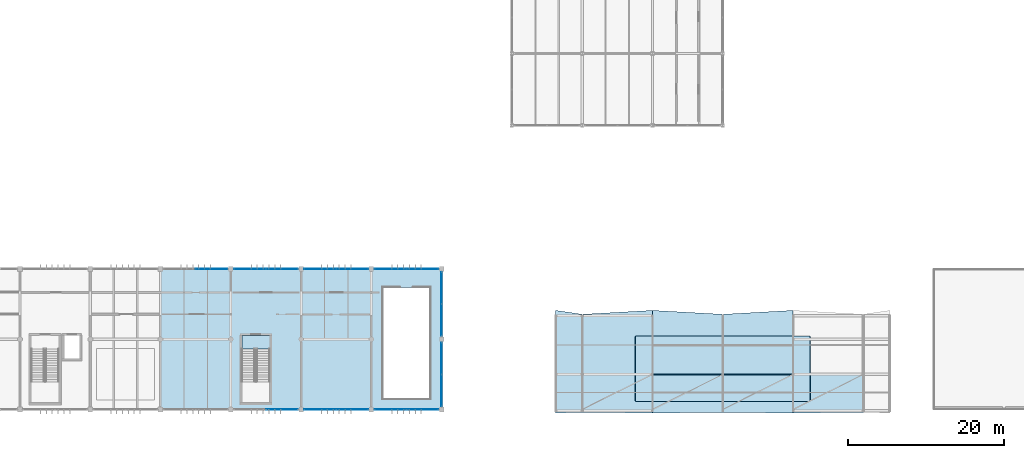
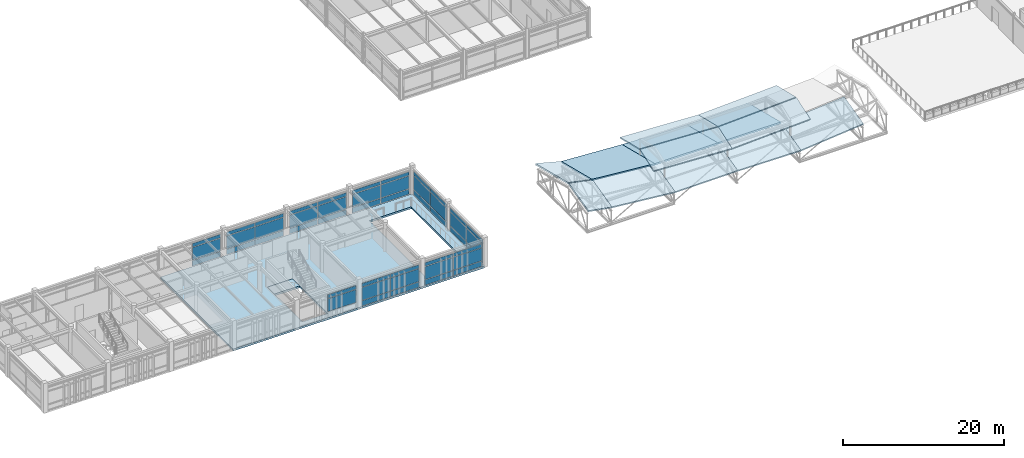
# One storey, part 31 of 55: 47 plates, 15 slabs, 9 elements without a shape of their own.
"""IFC4 building model written with IfcOpenShell, lengths in metres."""

from ifc_helpers import new_model, si_unit, direction, frame, origin, origin_2d, place, context, subcontext, project, spatial, polyline, rectangle, outline, extrude, material, layer, layer_set, type_object, element, aggregate, save


model = new_model("IFC4")

# Units and contexts
model_context = context("Model", 3, precision=1e-05, world=origin(), true_north=direction((0.0, 1.0)))
body_context = subcontext(model_context, "Body", "Model", "MODEL_VIEW")
ifc_project = project(units=[si_unit("LENGTHUNIT", "METRE"), si_unit("AREAUNIT", "SQUARE_METRE"), si_unit("VOLUMEUNIT", "CUBIC_METRE"), si_unit("PLANEANGLEUNIT", "RADIAN"), si_unit("MASSUNIT", "GRAM", prefix="KILO")], contexts=[model_context])

# Site, building, storey
site_placement = place(None, origin())
site = spatial("IfcSite", under=ifc_project, at=site_placement, CompositionType="ELEMENT")
building_placement = place(site_placement, origin())
building = spatial("IfcBuilding", under=site, at=building_placement, Name="Bozkorgan Art Gallery", CompositionType="ELEMENT")
storey_placement = place(building_placement, frame((0.0, 0.0, 15.0)))
storey = spatial("IfcBuildingStorey", under=building, at=storey_placement, Name="L03", CompositionType="ELEMENT", Elevation=15.0)

# Curtain wall, plates
ifc_material_1 = material(Name="Anodised Bronze Aluminium", Category="aluminium")
curtain_wall_type_1 = type_object("IfcCurtainWallType", Name="CW-CW-42", PredefinedType="NOTDEFINED", material=ifc_material_1)
curtain_wall_1_placement = place(storey_placement, origin())
curtain_wall_1 = element("IfcCurtainWall", 1, at=curtain_wall_1_placement, inside=storey, type_object=curtain_wall_type_1, Name="L03 unitised curtain wall CW-V1-L03-1N-08", PredefinedType="NOTDEFINED")
ifc_material_2 = material(Name="Triple Low-E Laminated Glass", Category="glass")
ifc_layer_1 = layer(ifc_material_2, 0.0439453125, Name="Triple Low-E Laminated Glass")
ifc_layer_set_1 = layer_set([ifc_layer_1], Name="Triple Low-E Laminated Glass")
plate_type = type_object("IfcPlateType", Name="CWP-GLZ", PredefinedType="CURTAIN_PANEL", material=ifc_layer_set_1)
plate_1_placement = place(storey_placement, frame((35.55126953125, 20.0, 0.094970703125), z_axis=(0.0, 0.0, 1.0), x_axis=(1.0, 0.0, 0.0)))
plate_1 = element("IfcPlate", 2, at=plate_1_placement, type_object=plate_type, Name="CW-42 panel 2.1", PredefinedType="CURTAIN_PANEL", context=body_context, shape_type="SweptSolid", body=[
    extrude(rectangle(XDim=4.03759765625, YDim=0.0439453125, at=origin_2d()), origin(), (0.0, 0.0, 1.0), 0.78759765625),
])
plate_2_placement = place(storey_placement, frame((35.55126953125, 20.0, 0.95751953125), z_axis=(0.0, 0.0, 1.0), x_axis=(1.0, 0.0, 0.0)))
plate_2 = element("IfcPlate", 3, at=plate_2_placement, type_object=plate_type, Name="CW-42 panel 2.2", PredefinedType="CURTAIN_PANEL", context=body_context, shape_type="SweptSolid", body=[
    extrude(rectangle(XDim=4.03759765625, YDim=0.0439453125, at=origin_2d()), origin(), (0.0, 0.0, 1.0), 1.929931640625),
])
plate_3_placement = place(storey_placement, frame((35.55126953125, 20.0, 2.96240234375), z_axis=(0.0, 0.0, 1.0), x_axis=(1.0, 0.0, 0.0)))
plate_3 = element("IfcPlate", 4, at=plate_3_placement, type_object=plate_type, Name="CW-42 panel 2.3", PredefinedType="CURTAIN_PANEL", context=body_context, shape_type="SweptSolid", body=[
    extrude(rectangle(XDim=4.03759765625, YDim=0.0439453125, at=origin_2d()), origin(), (0.0, 0.0, 1.0), 0.53759765625),
])
aggregate(curtain_wall_1, [plate_1, plate_2, plate_3])

curtain_wall_2_placement = place(storey_placement, origin())
curtain_wall_2 = element("IfcCurtainWall", 5, at=curtain_wall_2_placement, inside=storey, type_object=curtain_wall_type_1, Name="L03 unitised curtain wall CW-V1-L03-1S-09", PredefinedType="NOTDEFINED")
plate_4_placement = place(storey_placement, frame((44.55126953125, 2.0, 0.95751953125), z_axis=(0.0, 0.0, 1.0), x_axis=(1.0, 0.0, 0.0)))
plate_4 = element("IfcPlate", 6, at=plate_4_placement, type_object=plate_type, Name="CW-42 panel 2.2", PredefinedType="CURTAIN_PANEL", context=body_context, shape_type="SweptSolid", body=[
    extrude(rectangle(XDim=4.03759765625, YDim=0.0439453125, at=origin_2d()), origin(), (0.0, 0.0, 1.0), 1.929931640625),
])
plate_5_placement = place(storey_placement, frame((44.55126953125, 2.0, 2.96240234375), z_axis=(0.0, 0.0, 1.0), x_axis=(1.0, 0.0, 0.0)))
plate_5 = element("IfcPlate", 7, at=plate_5_placement, type_object=plate_type, Name="CW-42 panel 2.3", PredefinedType="CURTAIN_PANEL", context=body_context, shape_type="SweptSolid", body=[
    extrude(rectangle(XDim=4.03759765625, YDim=0.0439453125, at=origin_2d()), origin(), (0.0, 0.0, 1.0), 0.53759765625),
])
aggregate(curtain_wall_2, [plate_4, plate_5])

curtain_wall_3_placement = place(storey_placement, origin())
curtain_wall_3 = element("IfcCurtainWall", 8, at=curtain_wall_3_placement, inside=storey, type_object=curtain_wall_type_1, Name="L03 unitised curtain wall CW-V1-L03-1N-10", PredefinedType="NOTDEFINED")
plate_6_placement = place(storey_placement, frame((40.44873046875, 20.0, 0.094970703125), z_axis=(0.0, 0.0, 1.0), x_axis=(1.0, 0.0, 0.0)))
plate_6 = element("IfcPlate", 9, at=plate_6_placement, type_object=plate_type, Name="CW-42 panel 1.1", PredefinedType="CURTAIN_PANEL", context=body_context, shape_type="SweptSolid", body=[
    extrude(rectangle(XDim=4.03759765625, YDim=0.0439453125, at=origin_2d()), origin(), (0.0, 0.0, 1.0), 0.78759765625),
])
plate_7_placement = place(storey_placement, frame((40.44873046875, 20.0, 0.95751953125), z_axis=(0.0, 0.0, 1.0), x_axis=(1.0, 0.0, 0.0)))
plate_7 = element("IfcPlate", 10, at=plate_7_placement, type_object=plate_type, Name="CW-42 panel 1.2", PredefinedType="CURTAIN_PANEL", context=body_context, shape_type="SweptSolid", body=[
    extrude(rectangle(XDim=4.03759765625, YDim=0.0439453125, at=origin_2d()), origin(), (0.0, 0.0, 1.0), 1.929931640625),
])
plate_8_placement = place(storey_placement, frame((40.44873046875, 20.0, 2.96240234375), z_axis=(0.0, 0.0, 1.0), x_axis=(1.0, 0.0, 0.0)))
plate_8 = element("IfcPlate", 11, at=plate_8_placement, type_object=plate_type, Name="CW-42 panel 1.3", PredefinedType="CURTAIN_PANEL", context=body_context, shape_type="SweptSolid", body=[
    extrude(rectangle(XDim=4.03759765625, YDim=0.0439453125, at=origin_2d()), origin(), (0.0, 0.0, 1.0), 0.53759765625),
])
plate_9_placement = place(storey_placement, frame((44.55126953125, 20.0, 0.094970703125), z_axis=(0.0, 0.0, 1.0), x_axis=(1.0, 0.0, 0.0)))
plate_9 = element("IfcPlate", 12, at=plate_9_placement, type_object=plate_type, Name="CW-42 panel 2.1", PredefinedType="CURTAIN_PANEL", context=body_context, shape_type="SweptSolid", body=[
    extrude(rectangle(XDim=4.03759765625, YDim=0.0439453125, at=origin_2d()), origin(), (0.0, 0.0, 1.0), 0.78759765625),
])
plate_10_placement = place(storey_placement, frame((44.55126953125, 20.0, 0.95751953125), z_axis=(0.0, 0.0, 1.0), x_axis=(1.0, 0.0, 0.0)))
plate_10 = element("IfcPlate", 13, at=plate_10_placement, type_object=plate_type, Name="CW-42 panel 2.2", PredefinedType="CURTAIN_PANEL", context=body_context, shape_type="SweptSolid", body=[
    extrude(rectangle(XDim=4.03759765625, YDim=0.0439453125, at=origin_2d()), origin(), (0.0, 0.0, 1.0), 1.929931640625),
])
plate_11_placement = place(storey_placement, frame((44.55126953125, 20.0, 2.96240234375), z_axis=(0.0, 0.0, 1.0), x_axis=(1.0, 0.0, 0.0)))
plate_11 = element("IfcPlate", 14, at=plate_11_placement, type_object=plate_type, Name="CW-42 panel 2.3", PredefinedType="CURTAIN_PANEL", context=body_context, shape_type="SweptSolid", body=[
    extrude(rectangle(XDim=4.03759765625, YDim=0.0439453125, at=origin_2d()), origin(), (0.0, 0.0, 1.0), 0.53759765625),
])
aggregate(curtain_wall_3, [plate_6, plate_7, plate_8, plate_9, plate_10, plate_11])

curtain_wall_4_placement = place(storey_placement, origin())
curtain_wall_4 = element("IfcCurtainWall", 15, at=curtain_wall_4_placement, inside=storey, type_object=curtain_wall_type_1, Name="L03 unitised curtain wall CW-V1-L03-1S-11", PredefinedType="NOTDEFINED")
plate_12_placement = place(storey_placement, frame((49.44873046875, 2.0, 0.094970703125), z_axis=(0.0, 0.0, 1.0), x_axis=(1.0, 0.0, 0.0)))
plate_12 = element("IfcPlate", 16, at=plate_12_placement, type_object=plate_type, Name="CW-42 panel 1.1", PredefinedType="CURTAIN_PANEL", context=body_context, shape_type="SweptSolid", body=[
    extrude(rectangle(XDim=4.03759765625, YDim=0.0439453125, at=origin_2d()), origin(), (0.0, 0.0, 1.0), 0.78759765625),
])
plate_13_placement = place(storey_placement, frame((49.44873046875, 2.0, 0.95751953125), z_axis=(0.0, 0.0, 1.0), x_axis=(1.0, 0.0, 0.0)))
plate_13 = element("IfcPlate", 17, at=plate_13_placement, type_object=plate_type, Name="CW-42 panel 1.2", PredefinedType="CURTAIN_PANEL", context=body_context, shape_type="SweptSolid", body=[
    extrude(rectangle(XDim=4.03759765625, YDim=0.0439453125, at=origin_2d()), origin(), (0.0, 0.0, 1.0), 1.929931640625),
])
plate_14_placement = place(storey_placement, frame((49.44873046875, 2.0, 2.96240234375), z_axis=(0.0, 0.0, 1.0), x_axis=(1.0, 0.0, 0.0)))
plate_14 = element("IfcPlate", 18, at=plate_14_placement, type_object=plate_type, Name="CW-42 panel 1.3", PredefinedType="CURTAIN_PANEL", context=body_context, shape_type="SweptSolid", body=[
    extrude(rectangle(XDim=4.03759765625, YDim=0.0439453125, at=origin_2d()), origin(), (0.0, 0.0, 1.0), 0.53759765625),
])
plate_15_placement = place(storey_placement, frame((53.55126953125, 2.0, 0.094970703125), z_axis=(0.0, 0.0, 1.0), x_axis=(1.0, 0.0, 0.0)))
plate_15 = element("IfcPlate", 19, at=plate_15_placement, type_object=plate_type, Name="CW-42 panel 2.1", PredefinedType="CURTAIN_PANEL", context=body_context, shape_type="SweptSolid", body=[
    extrude(rectangle(XDim=4.03759765625, YDim=0.0439453125, at=origin_2d()), origin(), (0.0, 0.0, 1.0), 0.78759765625),
])
plate_16_placement = place(storey_placement, frame((53.55126953125, 2.0, 0.95751953125), z_axis=(0.0, 0.0, 1.0), x_axis=(1.0, 0.0, 0.0)))
plate_16 = element("IfcPlate", 20, at=plate_16_placement, type_object=plate_type, Name="CW-42 panel 2.2", PredefinedType="CURTAIN_PANEL", context=body_context, shape_type="SweptSolid", body=[
    extrude(rectangle(XDim=4.03759765625, YDim=0.0439453125, at=origin_2d()), origin(), (0.0, 0.0, 1.0), 1.929931640625),
])
plate_17_placement = place(storey_placement, frame((53.55126953125, 2.0, 2.96240234375), z_axis=(0.0, 0.0, 1.0), x_axis=(1.0, 0.0, 0.0)))
plate_17 = element("IfcPlate", 21, at=plate_17_placement, type_object=plate_type, Name="CW-42 panel 2.3", PredefinedType="CURTAIN_PANEL", context=body_context, shape_type="SweptSolid", body=[
    extrude(rectangle(XDim=4.03759765625, YDim=0.0439453125, at=origin_2d()), origin(), (0.0, 0.0, 1.0), 0.53759765625),
])
aggregate(curtain_wall_4, [plate_12, plate_13, plate_14, plate_15, plate_16, plate_17])

curtain_wall_5_placement = place(storey_placement, origin())
curtain_wall_5 = element("IfcCurtainWall", 22, at=curtain_wall_5_placement, inside=storey, type_object=curtain_wall_type_1, Name="L03 unitised curtain wall CW-V1-L03-1N-12", PredefinedType="NOTDEFINED")
plate_18_placement = place(storey_placement, frame((49.44873046875, 20.0, 0.094970703125), z_axis=(0.0, 0.0, 1.0), x_axis=(1.0, 0.0, 0.0)))
plate_18 = element("IfcPlate", 23, at=plate_18_placement, type_object=plate_type, Name="CW-42 panel 1.1", PredefinedType="CURTAIN_PANEL", context=body_context, shape_type="SweptSolid", body=[
    extrude(rectangle(XDim=4.03759765625, YDim=0.0439453125, at=origin_2d()), origin(), (0.0, 0.0, 1.0), 0.78759765625),
])
plate_19_placement = place(storey_placement, frame((49.44873046875, 20.0, 0.95751953125), z_axis=(0.0, 0.0, 1.0), x_axis=(1.0, 0.0, 0.0)))
plate_19 = element("IfcPlate", 24, at=plate_19_placement, type_object=plate_type, Name="CW-42 panel 1.2", PredefinedType="CURTAIN_PANEL", context=body_context, shape_type="SweptSolid", body=[
    extrude(rectangle(XDim=4.03759765625, YDim=0.0439453125, at=origin_2d()), origin(), (0.0, 0.0, 1.0), 1.929931640625),
])
plate_20_placement = place(storey_placement, frame((49.44873046875, 20.0, 2.96240234375), z_axis=(0.0, 0.0, 1.0), x_axis=(1.0, 0.0, 0.0)))
plate_20 = element("IfcPlate", 25, at=plate_20_placement, type_object=plate_type, Name="CW-42 panel 1.3", PredefinedType="CURTAIN_PANEL", context=body_context, shape_type="SweptSolid", body=[
    extrude(rectangle(XDim=4.03759765625, YDim=0.0439453125, at=origin_2d()), origin(), (0.0, 0.0, 1.0), 0.53759765625),
])
plate_21_placement = place(storey_placement, frame((53.55126953125, 20.0, 0.094970703125), z_axis=(0.0, 0.0, 1.0), x_axis=(1.0, 0.0, 0.0)))
plate_21 = element("IfcPlate", 26, at=plate_21_placement, type_object=plate_type, Name="CW-42 panel 2.1", PredefinedType="CURTAIN_PANEL", context=body_context, shape_type="SweptSolid", body=[
    extrude(rectangle(XDim=4.03759765625, YDim=0.0439453125, at=origin_2d()), origin(), (0.0, 0.0, 1.0), 0.78759765625),
])
plate_22_placement = place(storey_placement, frame((53.55126953125, 20.0, 0.95751953125), z_axis=(0.0, 0.0, 1.0), x_axis=(1.0, 0.0, 0.0)))
plate_22 = element("IfcPlate", 27, at=plate_22_placement, type_object=plate_type, Name="CW-42 panel 2.2", PredefinedType="CURTAIN_PANEL", context=body_context, shape_type="SweptSolid", body=[
    extrude(rectangle(XDim=4.03759765625, YDim=0.0439453125, at=origin_2d()), origin(), (0.0, 0.0, 1.0), 1.929931640625),
])
plate_23_placement = place(storey_placement, frame((53.55126953125, 20.0, 2.96240234375), z_axis=(0.0, 0.0, 1.0), x_axis=(1.0, 0.0, 0.0)))
plate_23 = element("IfcPlate", 28, at=plate_23_placement, type_object=plate_type, Name="CW-42 panel 2.3", PredefinedType="CURTAIN_PANEL", context=body_context, shape_type="SweptSolid", body=[
    extrude(rectangle(XDim=4.03759765625, YDim=0.0439453125, at=origin_2d()), origin(), (0.0, 0.0, 1.0), 0.53759765625),
])
aggregate(curtain_wall_5, [plate_18, plate_19, plate_20, plate_21, plate_22, plate_23])

curtain_wall_6_placement = place(storey_placement, origin())
curtain_wall_6 = element("IfcCurtainWall", 29, at=curtain_wall_6_placement, inside=storey, type_object=curtain_wall_type_1, Name="L03 unitised curtain wall CW-V1-L03-1S-13", PredefinedType="NOTDEFINED")
plate_24_placement = place(storey_placement, frame((58.44873046875, 2.0, 0.094970703125), z_axis=(0.0, 0.0, 1.0), x_axis=(1.0, 0.0, 0.0)))
plate_24 = element("IfcPlate", 30, at=plate_24_placement, type_object=plate_type, Name="CW-42 panel 1.1", PredefinedType="CURTAIN_PANEL", context=body_context, shape_type="SweptSolid", body=[
    extrude(rectangle(XDim=4.03759765625, YDim=0.0439453125, at=origin_2d()), origin(), (0.0, 0.0, 1.0), 0.78759765625),
])
plate_25_placement = place(storey_placement, frame((58.44873046875, 2.0, 0.95751953125), z_axis=(0.0, 0.0, 1.0), x_axis=(1.0, 0.0, 0.0)))
plate_25 = element("IfcPlate", 31, at=plate_25_placement, type_object=plate_type, Name="CW-42 panel 1.2", PredefinedType="CURTAIN_PANEL", context=body_context, shape_type="SweptSolid", body=[
    extrude(rectangle(XDim=4.03759765625, YDim=0.0439453125, at=origin_2d()), origin(), (0.0, 0.0, 1.0), 1.929931640625),
])
plate_26_placement = place(storey_placement, frame((58.44873046875, 2.0, 2.96240234375), z_axis=(0.0, 0.0, 1.0), x_axis=(1.0, 0.0, 0.0)))
plate_26 = element("IfcPlate", 32, at=plate_26_placement, type_object=plate_type, Name="CW-42 panel 1.3", PredefinedType="CURTAIN_PANEL", context=body_context, shape_type="SweptSolid", body=[
    extrude(rectangle(XDim=4.03759765625, YDim=0.0439453125, at=origin_2d()), origin(), (0.0, 0.0, 1.0), 0.53759765625),
])
plate_27_placement = place(storey_placement, frame((62.55126953125, 2.0, 0.094970703125), z_axis=(0.0, 0.0, 1.0), x_axis=(1.0, 0.0, 0.0)))
plate_27 = element("IfcPlate", 33, at=plate_27_placement, type_object=plate_type, Name="CW-42 panel 2.1", PredefinedType="CURTAIN_PANEL", context=body_context, shape_type="SweptSolid", body=[
    extrude(rectangle(XDim=4.03759765625, YDim=0.0439453125, at=origin_2d()), origin(), (0.0, 0.0, 1.0), 0.78759765625),
])
plate_28_placement = place(storey_placement, frame((62.55126953125, 2.0, 0.95751953125), z_axis=(0.0, 0.0, 1.0), x_axis=(1.0, 0.0, 0.0)))
plate_28 = element("IfcPlate", 34, at=plate_28_placement, type_object=plate_type, Name="CW-42 panel 2.2", PredefinedType="CURTAIN_PANEL", context=body_context, shape_type="SweptSolid", body=[
    extrude(rectangle(XDim=4.03759765625, YDim=0.0439453125, at=origin_2d()), origin(), (0.0, 0.0, 1.0), 1.929931640625),
])
plate_29_placement = place(storey_placement, frame((62.55126953125, 2.0, 2.96240234375), z_axis=(0.0, 0.0, 1.0), x_axis=(1.0, 0.0, 0.0)))
plate_29 = element("IfcPlate", 35, at=plate_29_placement, type_object=plate_type, Name="CW-42 panel 2.3", PredefinedType="CURTAIN_PANEL", context=body_context, shape_type="SweptSolid", body=[
    extrude(rectangle(XDim=4.03759765625, YDim=0.0439453125, at=origin_2d()), origin(), (0.0, 0.0, 1.0), 0.53759765625),
])
aggregate(curtain_wall_6, [plate_24, plate_25, plate_26, plate_27, plate_28, plate_29])

curtain_wall_7_placement = place(storey_placement, origin())
curtain_wall_7 = element("IfcCurtainWall", 36, at=curtain_wall_7_placement, inside=storey, type_object=curtain_wall_type_1, Name="L03 unitised curtain wall CW-V1-L03-1N-14", PredefinedType="NOTDEFINED")
plate_30_placement = place(storey_placement, frame((58.44873046875, 20.0, 0.094970703125), z_axis=(0.0, 0.0, 1.0), x_axis=(1.0, 0.0, 0.0)))
plate_30 = element("IfcPlate", 37, at=plate_30_placement, type_object=plate_type, Name="CW-42 panel 1.1", PredefinedType="CURTAIN_PANEL", context=body_context, shape_type="SweptSolid", body=[
    extrude(rectangle(XDim=4.03759765625, YDim=0.0439453125, at=origin_2d()), origin(), (0.0, 0.0, 1.0), 0.78759765625),
])
plate_31_placement = place(storey_placement, frame((58.44873046875, 20.0, 0.95751953125), z_axis=(0.0, 0.0, 1.0), x_axis=(1.0, 0.0, 0.0)))
plate_31 = element("IfcPlate", 38, at=plate_31_placement, type_object=plate_type, Name="CW-42 panel 1.2", PredefinedType="CURTAIN_PANEL", context=body_context, shape_type="SweptSolid", body=[
    extrude(rectangle(XDim=4.03759765625, YDim=0.0439453125, at=origin_2d()), origin(), (0.0, 0.0, 1.0), 1.929931640625),
])
plate_32_placement = place(storey_placement, frame((58.44873046875, 20.0, 2.96240234375), z_axis=(0.0, 0.0, 1.0), x_axis=(1.0, 0.0, 0.0)))
plate_32 = element("IfcPlate", 39, at=plate_32_placement, type_object=plate_type, Name="CW-42 panel 1.3", PredefinedType="CURTAIN_PANEL", context=body_context, shape_type="SweptSolid", body=[
    extrude(rectangle(XDim=4.03759765625, YDim=0.0439453125, at=origin_2d()), origin(), (0.0, 0.0, 1.0), 0.53759765625),
])
plate_33_placement = place(storey_placement, frame((62.55126953125, 20.0, 0.094970703125), z_axis=(0.0, 0.0, 1.0), x_axis=(1.0, 0.0, 0.0)))
plate_33 = element("IfcPlate", 40, at=plate_33_placement, type_object=plate_type, Name="CW-42 panel 2.1", PredefinedType="CURTAIN_PANEL", context=body_context, shape_type="SweptSolid", body=[
    extrude(rectangle(XDim=4.03759765625, YDim=0.0439453125, at=origin_2d()), origin(), (0.0, 0.0, 1.0), 0.78759765625),
])
plate_34_placement = place(storey_placement, frame((62.55126953125, 20.0, 0.95751953125), z_axis=(0.0, 0.0, 1.0), x_axis=(1.0, 0.0, 0.0)))
plate_34 = element("IfcPlate", 41, at=plate_34_placement, type_object=plate_type, Name="CW-42 panel 2.2", PredefinedType="CURTAIN_PANEL", context=body_context, shape_type="SweptSolid", body=[
    extrude(rectangle(XDim=4.03759765625, YDim=0.0439453125, at=origin_2d()), origin(), (0.0, 0.0, 1.0), 1.929931640625),
])
plate_35_placement = place(storey_placement, frame((62.55126953125, 20.0, 2.96240234375), z_axis=(0.0, 0.0, 1.0), x_axis=(1.0, 0.0, 0.0)))
plate_35 = element("IfcPlate", 42, at=plate_35_placement, type_object=plate_type, Name="CW-42 panel 2.3", PredefinedType="CURTAIN_PANEL", context=body_context, shape_type="SweptSolid", body=[
    extrude(rectangle(XDim=4.03759765625, YDim=0.0439453125, at=origin_2d()), origin(), (0.0, 0.0, 1.0), 0.53759765625),
])
aggregate(curtain_wall_7, [plate_30, plate_31, plate_32, plate_33, plate_34, plate_35])

curtain_wall_type_2 = type_object("IfcCurtainWallType", Name="CW-CW-02", PredefinedType="NOTDEFINED", material=ifc_material_1)
curtain_wall_8_placement = place(storey_placement, origin())
curtain_wall_8 = element("IfcCurtainWall", 43, at=curtain_wall_8_placement, inside=storey, type_object=curtain_wall_type_2, Name="L03 unitised curtain wall CW-V1-L03-1E-16", PredefinedType="NOTDEFINED")
plate_36_placement = place(storey_placement, frame((65.0, 4.451171875, 0.094970703125), z_axis=(0.0, 0.0, 1.0), x_axis=(0.0, 1.0, 0.0)))
plate_36 = element("IfcPlate", 44, at=plate_36_placement, type_object=plate_type, Name="CW-02 panel 1.1", PredefinedType="CURTAIN_PANEL", context=body_context, shape_type="SweptSolid", body=[
    extrude(rectangle(XDim=4.0224609375, YDim=0.0439453125, at=origin_2d()), origin(), (0.0, 0.0, 1.0), 0.78759765625),
])
plate_37_placement = place(storey_placement, frame((65.0, 4.451171875, 0.95751953125), z_axis=(0.0, 0.0, 1.0), x_axis=(0.0, 1.0, 0.0)))
plate_37 = element("IfcPlate", 45, at=plate_37_placement, type_object=plate_type, Name="CW-02 panel 1.2", PredefinedType="CURTAIN_PANEL", context=body_context, shape_type="SweptSolid", body=[
    extrude(rectangle(XDim=4.0224609375, YDim=0.0439453125, at=origin_2d()), origin(), (0.0, 0.0, 1.0), 2.080078125),
])
plate_38_placement = place(storey_placement, frame((65.0, 4.451171875, 3.112548828125), z_axis=(0.0, 0.0, 1.0), x_axis=(0.0, 1.0, 0.0)))
plate_38 = element("IfcPlate", 46, at=plate_38_placement, type_object=plate_type, Name="CW-02 panel 1.3", PredefinedType="CURTAIN_PANEL", context=body_context, shape_type="SweptSolid", body=[
    extrude(rectangle(XDim=4.0224609375, YDim=0.0439453125, at=origin_2d()), origin(), (0.0, 0.0, 1.0), 0.53759765625),
])
plate_39_placement = place(storey_placement, frame((65.0, 8.548828125, 0.094970703125), z_axis=(0.0, 0.0, 1.0), x_axis=(0.0, 1.0, 0.0)))
plate_39 = element("IfcPlate", 47, at=plate_39_placement, type_object=plate_type, Name="CW-02 panel 2.1", PredefinedType="CURTAIN_PANEL", context=body_context, shape_type="SweptSolid", body=[
    extrude(rectangle(XDim=4.0224609375, YDim=0.0439453125, at=origin_2d()), origin(), (0.0, 0.0, 1.0), 0.78759765625),
])
plate_40_placement = place(storey_placement, frame((65.0, 8.548828125, 0.95751953125), z_axis=(0.0, 0.0, 1.0), x_axis=(0.0, 1.0, 0.0)))
plate_40 = element("IfcPlate", 48, at=plate_40_placement, type_object=plate_type, Name="CW-02 panel 2.2", PredefinedType="CURTAIN_PANEL", context=body_context, shape_type="SweptSolid", body=[
    extrude(rectangle(XDim=4.0224609375, YDim=0.0439453125, at=origin_2d()), origin(), (0.0, 0.0, 1.0), 2.080078125),
])
plate_41_placement = place(storey_placement, frame((65.0, 8.548828125, 3.112548828125), z_axis=(0.0, 0.0, 1.0), x_axis=(0.0, 1.0, 0.0)))
plate_41 = element("IfcPlate", 49, at=plate_41_placement, type_object=plate_type, Name="CW-02 panel 2.3", PredefinedType="CURTAIN_PANEL", context=body_context, shape_type="SweptSolid", body=[
    extrude(rectangle(XDim=4.0224609375, YDim=0.0439453125, at=origin_2d()), origin(), (0.0, 0.0, 1.0), 0.53759765625),
])
aggregate(curtain_wall_8, [plate_36, plate_37, plate_38, plate_39, plate_40, plate_41])

curtain_wall_9_placement = place(storey_placement, origin())
curtain_wall_9 = element("IfcCurtainWall", 50, at=curtain_wall_9_placement, inside=storey, type_object=curtain_wall_type_2, Name="L03 unitised curtain wall CW-V1-L03-1E-18", PredefinedType="NOTDEFINED")
plate_42_placement = place(storey_placement, frame((65.0, 13.451171875, 0.094970703125), z_axis=(0.0, 0.0, 1.0), x_axis=(0.0, 1.0, 0.0)))
plate_42 = element("IfcPlate", 51, at=plate_42_placement, type_object=plate_type, Name="CW-02 panel 1.1", PredefinedType="CURTAIN_PANEL", context=body_context, shape_type="SweptSolid", body=[
    extrude(rectangle(XDim=4.0224609375, YDim=0.0439453125, at=origin_2d()), origin(), (0.0, 0.0, 1.0), 0.78759765625),
])
plate_43_placement = place(storey_placement, frame((65.0, 13.451171875, 0.95751953125), z_axis=(0.0, 0.0, 1.0), x_axis=(0.0, 1.0, 0.0)))
plate_43 = element("IfcPlate", 52, at=plate_43_placement, type_object=plate_type, Name="CW-02 panel 1.2", PredefinedType="CURTAIN_PANEL", context=body_context, shape_type="SweptSolid", body=[
    extrude(rectangle(XDim=4.0224609375, YDim=0.0439453125, at=origin_2d()), origin(), (0.0, 0.0, 1.0), 2.080078125),
])
plate_44_placement = place(storey_placement, frame((65.0, 13.451171875, 3.112548828125), z_axis=(0.0, 0.0, 1.0), x_axis=(0.0, 1.0, 0.0)))
plate_44 = element("IfcPlate", 53, at=plate_44_placement, type_object=plate_type, Name="CW-02 panel 1.3", PredefinedType="CURTAIN_PANEL", context=body_context, shape_type="SweptSolid", body=[
    extrude(rectangle(XDim=4.0224609375, YDim=0.0439453125, at=origin_2d()), origin(), (0.0, 0.0, 1.0), 0.53759765625),
])
plate_45_placement = place(storey_placement, frame((65.0, 17.548828125, 0.094970703125), z_axis=(0.0, 0.0, 1.0), x_axis=(0.0, 1.0, 0.0)))
plate_45 = element("IfcPlate", 54, at=plate_45_placement, type_object=plate_type, Name="CW-02 panel 2.1", PredefinedType="CURTAIN_PANEL", context=body_context, shape_type="SweptSolid", body=[
    extrude(rectangle(XDim=4.0224609375, YDim=0.0439453125, at=origin_2d()), origin(), (0.0, 0.0, 1.0), 0.78759765625),
])
plate_46_placement = place(storey_placement, frame((65.0, 17.548828125, 0.95751953125), z_axis=(0.0, 0.0, 1.0), x_axis=(0.0, 1.0, 0.0)))
plate_46 = element("IfcPlate", 55, at=plate_46_placement, type_object=plate_type, Name="CW-02 panel 2.2", PredefinedType="CURTAIN_PANEL", context=body_context, shape_type="SweptSolid", body=[
    extrude(rectangle(XDim=4.0224609375, YDim=0.0439453125, at=origin_2d()), origin(), (0.0, 0.0, 1.0), 2.080078125),
])
plate_47_placement = place(storey_placement, frame((65.0, 17.548828125, 3.112548828125), z_axis=(0.0, 0.0, 1.0), x_axis=(0.0, 1.0, 0.0)))
plate_47 = element("IfcPlate", 56, at=plate_47_placement, type_object=plate_type, Name="CW-02 panel 2.3", PredefinedType="CURTAIN_PANEL", context=body_context, shape_type="SweptSolid", body=[
    extrude(rectangle(XDim=4.0224609375, YDim=0.0439453125, at=origin_2d()), origin(), (0.0, 0.0, 1.0), 0.53759765625),
])
aggregate(curtain_wall_9, [plate_42, plate_43, plate_44, plate_45, plate_46, plate_47])

# Slabs
ifc_material_3 = material(Name="Concrete C35/45", Category="concrete")
ifc_layer_2 = layer(ifc_material_3, 0.25, Name="Concrete C35/45")
ifc_layer_set_2 = layer_set([ifc_layer_2], Name="Concrete C35/45")
slab_type_1 = type_object("IfcSlabType", Name="LAND-CORE7", PredefinedType="LANDING", material=ifc_layer_set_2)
slab_1_placement = place(storey_placement, frame((0.0, 0.0, -0.280029296875)))
element("IfcSlab", 57, at=slab_1_placement, inside=storey, type_object=slab_type_1, Name="ST12 L03 floor landing", PredefinedType="LANDING", context=body_context, shape_type="SweptSolid", body=[
    extrude(outline(polyline([(39.39990234375, 9.75), (43.0, 9.75), (43.0, 11.5), (39.39990234375, 11.5), (39.39990234375, 9.75)])), origin(), (0.0, 0.0, 1.0), 0.280029296875),
])
ifc_layer_3 = layer(ifc_material_3, 0.179931640625, Name="Concrete C35/45")
ifc_layer_set_3 = layer_set([ifc_layer_3], Name="Concrete C35/45")
slab_type_2 = type_object("IfcSlabType", Name="SLAB-RF-25", PredefinedType="ROOF", material=ifc_layer_set_3)
slab_2_placement = place(storey_placement, frame((89.800048828125, 3.02490234375, 5.08740234375), z_axis=(0.044330666622, -0.324012394084, 0.945013629784), x_axis=(0.998901534709, 0.0, -0.046858552647)))
element("IfcSlab", 58, at=slab_2_placement, inside=storey, type_object=slab_type_2, Name="ROOF-V3-MAIN stacked swept-eave roof slab 1S", PredefinedType="ROOF", context=body_context, shape_type="SweptSolid", body=[
    extrude(outline(polyline([(0.0, 0.0), (11.212267458512667, 0.0), (11.157400852434465, 3.609776254129649), (-0.054866606078201194, 3.6097762541296494), (0.0, 0.0)])), origin(), (0.0, 0.0, -1.0), 0.179931640625),
])
slab_3_placement = place(storey_placement, frame((89.800048828125, 6.56005859375, 6.25830078125), z_axis=(0.045547414153, 0.23490130073, 0.970951498263), x_axis=(0.998901534709, 0.0, -0.046858552647)))
element("IfcSlab", 59, at=slab_3_placement, inside=storey, type_object=slab_type_2, Name="ROOF-V3-MAIN stacked swept-eave roof slab 1N", PredefinedType="ROOF", context=body_context, shape_type="SweptSolid", body=[
    extrude(outline(polyline([(0.0, 0.0), (11.212267458512667, -1.3877787807814457e-17), (11.267134064590868, 4.979164621790634), (0.054866606078201194, 4.979164621790633), (0.0, 0.0)])), origin(), (0.0, 0.0, -1.0), 0.179931640625),
])
slab_4_placement = place(storey_placement, frame((101.0, 3.02490234375, 4.56201171875), z_axis=(-0.044330666622, -0.324012394084, 0.945013629784), x_axis=(0.998901534709, 0.0, 0.046858552647)))
element("IfcSlab", 60, at=slab_4_placement, inside=storey, type_object=slab_type_2, Name="ROOF-V3-MAIN stacked swept-eave roof slab 2S", PredefinedType="ROOF", context=body_context, shape_type="SweptSolid", body=[
    extrude(outline(polyline([(0.0, 0.0), (11.212267458512667, 0.0), (11.267134064590868, 3.6097762541296494), (0.054866606078201194, 3.6097762541296494), (0.0, 0.0)])), origin(), (0.0, 0.0, -1.0), 0.179931640625),
])
slab_5_placement = place(storey_placement, frame((101.0, 6.56005859375, 5.73291015625), z_axis=(-0.045547414153, 0.23490130073, 0.970951498263), x_axis=(0.998901534709, 0.0, 0.046858552647)))
element("IfcSlab", 61, at=slab_5_placement, inside=storey, type_object=slab_type_2, Name="ROOF-V3-MAIN stacked swept-eave roof slab 2N", PredefinedType="ROOF", context=body_context, shape_type="SweptSolid", body=[
    extrude(outline(polyline([(0.0, 0.0), (11.212267458512667, 1.3877787807814457e-17), (11.157400852434465, 4.979164621790633), (-0.054866606078201194, 4.979164621790633), (0.0, 0.0)])), origin(), (0.0, 0.0, -1.0), 0.179931640625),
])
ifc_layer_4 = layer(ifc_material_3, 0.219970703125, Name="Concrete C35/45")
ifc_layer_set_4 = layer_set([ifc_layer_4], Name="Concrete C35/45")
slab_type_3 = type_object("IfcSlabType", Name="SLAB-RF-44", PredefinedType="ROOF", material=ifc_layer_set_4)
slab_6_placement = place(storey_placement, frame((79.60009765625, 1.550048828125, 3.51416015625), z_axis=(0.19582252021, -0.237221882344, 0.951514224337), x_axis=(0.980459821374, 0.028795901466, -0.194600448948)))
element("IfcSlab", 62, at=slab_6_placement, inside=storey, type_object=slab_type_3, Name="ROOF-V3-MAIN swept-eave pitched roof slab 1S", PredefinedType="ROOF", context=body_context, shape_type="SweptSolid", body=[
    extrude(outline(polyline([(0.0, 0.0), (3.4676603117775744, 0.0), (3.373596721939708, 4.915125265756454), (-0.09603422511446588, 5.018018257973327), (0.0, 0.0)])), origin(), (0.0, 0.0, -1.0), 0.219970703125),
])
slab_7_placement = place(storey_placement, frame((79.60009765625, 6.580078125, 4.728271484375), z_axis=(0.195843207308, 0.237234681426, 0.951506775635), x_axis=(0.979468515721, -4.907027e-06, -0.201597189185)))
element("IfcSlab", 63, at=slab_7_placement, inside=storey, type_object=slab_type_3, Name="ROOF-V3-MAIN swept-eave pitched roof slab 1N", PredefinedType="ROOF", context=body_context, shape_type="SweptSolid", body=[
    extrude(outline(polyline([(0.0, 0.0), (3.4711562729820207, -5.551115123125783e-17), (3.854133854289008, 7.843814271981464), (0.40807634031432816, 8.358472605035894), (0.0, 0.0)])), origin(), (0.0, 0.0, -1.0), 0.219970703125),
])
slab_8_placement = place(storey_placement, frame((83.0, 1.64990234375, 2.83935546875), z_axis=(0.083670210159, -0.241057084999, 0.966897501136), x_axis=(0.995975559683, -0.011050285767, -0.08894141723)))
element("IfcSlab", 64, at=slab_8_placement, inside=storey, type_object=slab_type_3, Name="ROOF-V3-MAIN swept-eave pitched roof slab 2S", PredefinedType="ROOF", context=body_context, shape_type="SweptSolid", body=[
    extrude(outline(polyline([(0.0, 0.0), (9.03636663685274, -5.551115123125783e-17), (8.87456836583556, 5.016328451092732), (-0.15848001138917509, 4.913470099939581), (0.0, 0.0)])), origin(), (0.0, 0.0, -1.0), 0.219970703125),
])
slab_9_placement = place(storey_placement, frame((83.0, 6.580078125, 4.028564453125), z_axis=(0.083661439729, 0.241071284724, 0.966894719804), x_axis=(0.996277481173, 1.946994e-06, -0.086204295154)))
element("IfcSlab", 65, at=slab_9_placement, inside=storey, type_object=slab_type_3, Name="ROOF-V3-MAIN swept-eave pitched roof slab 2N", PredefinedType="ROOF", context=body_context, shape_type="SweptSolid", body=[
    extrude(outline(polyline([(0.0, 0.0), (9.033633976444683, 0.0), (9.20816297314939, 8.366608047339197), (0.1637945782542679, 7.8514498977634855), (0.0, 0.0)])), origin(), (0.0, 0.0, -1.0), 0.219970703125),
])
slab_10_placement = place(storey_placement, frame((92.0, 1.550048828125, 2.03564453125), z_axis=(-4.2463e-07, -0.241905325977, 0.970299857396), x_axis=(0.999934630785, 0.011094212522, 0.00276633422)))
element("IfcSlab", 66, at=slab_10_placement, inside=storey, type_object=slab_type_3, Name="ROOF-V3-MAIN swept-eave pitched roof slab 3S", PredefinedType="ROOF", context=body_context, shape_type="SweptSolid", body=[
    extrude(outline(polyline([(0.0, 0.0), (9.000588361395733, 0.0), (9.056797721319274, 4.915703901260437), (0.05738604425265998, 5.01860903554675), (0.0, 0.0)])), origin(), (0.0, 0.0, -1.0), 0.219970703125),
])
slab_11_placement = place(storey_placement, frame((92.0, 6.580078125, 3.249755859375), z_axis=(8.135128e-06, 0.241919396892, 0.970296349236), x_axis=(0.999999999967, -1.968045e-06, -7.893485e-06)))
element("IfcSlab", 67, at=slab_11_placement, inside=storey, type_object=slab_type_3, Name="ROOF-V3-MAIN swept-eave pitched roof slab 3N", PredefinedType="ROOF", context=body_context, shape_type="SweptSolid", body=[
    extrude(outline(polyline([(0.0, 0.0), (8.999999999702188, 0.0), (9.000000000297812, 7.853158228440212), (-5.956227821612807e-10, 8.368428202981383), (0.0, 0.0)])), origin(), (0.0, 0.0, -1.0), 0.219970703125),
])
slab_12_placement = place(storey_placement, frame((101.0, 1.64990234375, 2.060546875), z_axis=(4.2463e-07, -0.241905325977, 0.970299857396), x_axis=(0.999934630785, -0.011094212522, -0.00276633422)))
element("IfcSlab", 68, at=slab_12_placement, inside=storey, type_object=slab_type_3, Name="ROOF-V3-MAIN swept-eave pitched roof slab 4S", PredefinedType="ROOF", context=body_context, shape_type="SweptSolid", body=[
    extrude(outline(polyline([(0.0, 0.0), (9.000588361395733, 0.0), (8.943202317143074, 5.01860903554675), (-0.05620935992354101, 4.915703901260437), (0.0, 0.0)])), origin(), (0.0, 0.0, -1.0), 0.219970703125),
])
slab_13_placement = place(storey_placement, frame((101.0, 6.580078125, 3.249755859375), z_axis=(-8.135128e-06, 0.241919396892, 0.970296349236), x_axis=(0.999999999967, 1.968045e-06, 7.893485e-06)))
element("IfcSlab", 69, at=slab_13_placement, inside=storey, type_object=slab_type_3, Name="ROOF-V3-MAIN swept-eave pitched roof slab 4N", PredefinedType="ROOF", context=body_context, shape_type="SweptSolid", body=[
    extrude(outline(polyline([(0.0, 0.0), (8.999999999702188, 0.0), (9.000000000297812, 8.368428202981383), (-5.956227821595866e-10, 7.853158228440212), (0.0, 0.0)])), origin(), (0.0, 0.0, -1.0), 0.219970703125),
])
slab_14_placement = place(storey_placement, frame((110.0, 1.550048828125, 2.03564453125), z_axis=(-0.083670210159, -0.241057084999, 0.966897501136), x_axis=(0.995975559683, 0.011050285767, 0.08894141723)))
element("IfcSlab", 70, at=slab_14_placement, inside=storey, type_object=slab_type_3, Name="ROOF-V3-MAIN swept-eave pitched roof slab 5S", PredefinedType="ROOF", context=body_context, shape_type="SweptSolid", body=[
    extrude(outline(polyline([(0.0, 0.0), (9.03636663685274, 5.551115123125783e-17), (9.194846648241915, 4.91347009993958), (0.1617982710171808, 5.016328451092731), (0.0, 0.0)])), origin(), (0.0, 0.0, -1.0), 0.219970703125),
])
ifc_layer_5 = layer(ifc_material_3, 0.280029296875, Name="Concrete C35/45")
ifc_layer_set_5 = layer_set([ifc_layer_5], Name="Concrete C35/45")
slab_type_4 = type_object("IfcSlabType", Name="SLAB-SL-86", PredefinedType="FLOOR", material=ifc_layer_set_5)
slab_15_placement = place(storey_placement, frame((0.0, 0.0, -0.280029296875)))
element("IfcSlab", 71, at=slab_15_placement, inside=storey, type_object=slab_type_4, Name="V1 L03 floor slab 1.2", PredefinedType="FLOOR", context=body_context, shape_type="SweptSolid", body=[
    extrude(outline(polyline([(29.0, 2.0), (65.0, 2.0), (65.0, 20.0), (29.0, 20.0), (29.0, 2.0)]), holes=[polyline([(39.39990234375, 2.85009765625), (43.0, 2.85009765625), (43.0, 11.5), (39.39990234375, 11.5), (39.39990234375, 2.85009765625)]), polyline([(57.5, 3.39990234375), (63.5, 3.39990234375), (63.5, 17.60009765625), (57.5, 17.60009765625), (57.5, 3.39990234375)])]), origin(), (0.0, 0.0, 1.0), 0.280029296875),
])

save(model, "model.ifc")
